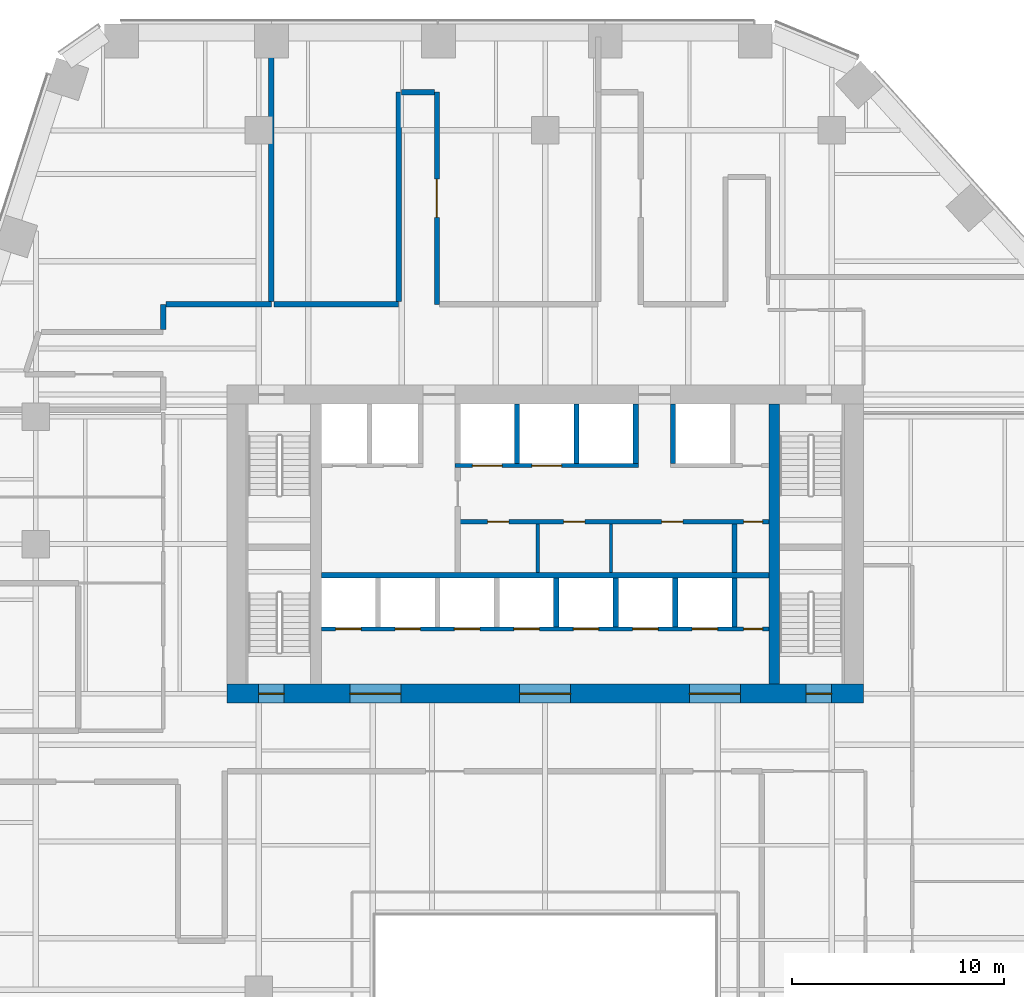
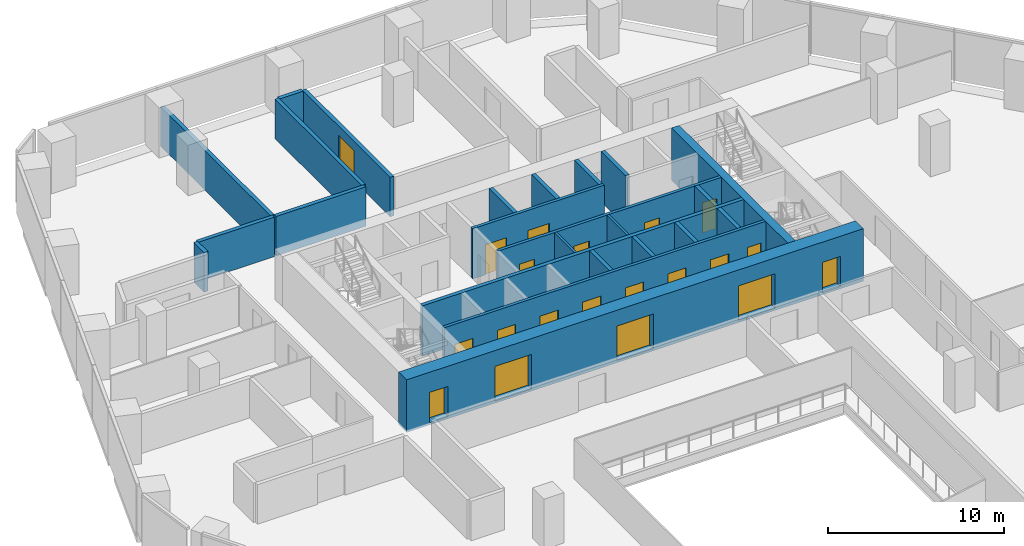
# One storey, part 15 of 21: 24 walls, 20 doors, 20 openings.
"""IFC4 building model written with IfcOpenShell, lengths in metres."""

from ifc_helpers import new_model, si_unit, direction, frame, frame_2d, origin, place, context, subcontext, project, spatial, rectangle, extrude, material, layer, layer_set, type_object, element, fill, save


model = new_model("IFC4")

# Units and contexts
model_context = context("Model", 3, precision=1e-05, world=origin(), true_north=direction((0.0, 1.0)))
body_context = subcontext(model_context, "Body", "Model", "MODEL_VIEW")
ifc_project = project(units=[si_unit("LENGTHUNIT", "METRE"), si_unit("AREAUNIT", "SQUARE_METRE"), si_unit("VOLUMEUNIT", "CUBIC_METRE"), si_unit("PLANEANGLEUNIT", "RADIAN"), si_unit("MASSUNIT", "GRAM", prefix="KILO")], contexts=[model_context])

# Site, building, storey
site_placement = place(None, origin())
site = spatial("IfcSite", under=ifc_project, at=site_placement, CompositionType="ELEMENT")
building_placement = place(site_placement, origin())
building = spatial("IfcBuilding", under=site, at=building_placement, Name="Isthmus Gate Tower", CompositionType="ELEMENT")
storey_placement = place(building_placement, frame((0.0, 0.0, 102.550048828125)))
storey = spatial("IfcBuildingStorey", under=building, at=storey_placement, Name="L24", CompositionType="ELEMENT", Elevation=102.550048828125)

# Wall, opening, door
ifc_material_1 = material(Name="Double-leaf acoustic stud wall, fire-rated", Category="gypsum")
ifc_layer_1 = layer(ifc_material_1, 0.25)
ifc_layer_set_1 = layer_set([ifc_layer_1], Name="ACOUSTIC WALL 250 60 MIN")
wall_type_1 = type_object("IfcWallType", Name="ACOUSTIC WALL 250 60 MIN", PredefinedType="PARTITIONING", material=ifc_layer_set_1)
wall_1_placement = place(storey_placement, frame((-5.10009765625, 28.800048828125, 0.0), z_axis=(0.0, 0.0, 1.0), x_axis=(0.0, -1.0, 0.0)))
wall_1 = element("IfcWall", 1, at=wall_1_placement, inside=storey, type_object=wall_type_1, Name="L24 Acoustic Wall 250 60 Min", PredefinedType="PARTITIONING", context=body_context, shape_type="SweptSolid", body=[
    extrude(rectangle(XDim=10.0, YDim=0.25, at=frame_2d((5.0, 0.0))), origin(), (0.0, 0.0, 1.0), 2.7412109375),
])
opening_1_placement = place(wall_1_placement, frame((4.10009765625, 0.0, 0.0)))
opening_1 = element("IfcOpeningElement", 2, at=opening_1_placement, cuts=wall_1, Name="Opening DT-T2C-02", PredefinedType="OPENING", context=body_context, shape_type="SweptSolid", body=[
    extrude(rectangle(XDim=1.800048828125, YDim=2.10009765625, at=frame_2d((0.89990234375, 1.050048828125))), frame((0.0, 0.135009765625, 0.0), z_axis=(0.0, -1.0, 0.0), x_axis=(1.0, 0.0, 0.0)), (0.0, 0.0, 1.0), 0.27001953125),
])
ifc_material_2 = material(Name="Solid core timber door leaf, fire-rated", Category="wood")
door_type_1 = type_object("IfcDoorType", Name="FIRE DOOR ACOUSTIC ROOM 1800 X 2100 60 MIN", OperationType="DOUBLE_DOOR_DOUBLE_SWING", PredefinedType="DOOR", material=ifc_material_2)
door_1_placement = place(opening_1_placement, origin())
door_1 = element("IfcDoor", 3, at=door_1_placement, inside=storey, type_object=door_type_1, Name="L24 room door", OperationType="DOUBLE_DOOR_DOUBLE_SWING", OverallHeight=2.10009765625, OverallWidth=1.800048828125, PredefinedType="DOOR", context=body_context, shape_type="SweptSolid", body=[
    extrude(rectangle(XDim=1.800048828125, YDim=2.10009765625, at=frame_2d((0.89990234375, 1.050048828125))), frame((0.0, 0.02490234375, 0.0), z_axis=(0.0, -1.0, 0.0), x_axis=(1.0, 0.0, 0.0)), (0.0, 0.0, 1.0), 0.050048828125),
])
fill(opening_1, door_1)

# Walls
wall_2_placement = place(storey_placement, frame((-18.0, 17.625, 0.0), z_axis=(0.0, 0.0, 1.0), x_axis=(0.0, 1.0, 0.0)))
element("IfcWall", 4, at=wall_2_placement, inside=storey, type_object=wall_type_1, Name="L24 Acoustic Wall 250 60 Min", PredefinedType="PARTITIONING", context=body_context, shape_type="SweptSolid", body=[
    extrude(rectangle(XDim=1.175048828125, YDim=0.25, at=frame_2d((0.58740234375, 0.0))), origin(), (0.0, 0.0, 1.0), 2.7412109375),
])
wall_3_placement = place(storey_placement, frame((-17.875, 18.800048828125, 0.0), z_axis=(0.0, 0.0, 1.0), x_axis=(1.0, 0.0, 0.0)))
element("IfcWall", 5, at=wall_3_placement, inside=storey, type_object=wall_type_1, Name="L24 Acoustic Wall 250 60 Min", PredefinedType="PARTITIONING", context=body_context, shape_type="SweptSolid", body=[
    extrude(rectangle(XDim=4.968017578125, YDim=0.25, at=frame_2d((2.48388671875, 0.0))), origin(), (0.0, 0.0, 1.0), 2.7412109375),
])
wall_4_placement = place(storey_placement, frame((-12.906982421875, 18.925048828125, 0.0), z_axis=(0.0, 0.0, 1.0), x_axis=(0.0, 1.0, 0.0)))
element("IfcWall", 6, at=wall_4_placement, inside=storey, type_object=wall_type_1, Name="L24 Acoustic Wall 250 60 Min", PredefinedType="PARTITIONING", context=body_context, shape_type="SweptSolid", body=[
    extrude(rectangle(XDim=12.474853515625, YDim=0.25, at=frame_2d((6.2373046875, 0.0))), origin(), (0.0, 0.0, 1.0), 2.7412109375),
])
wall_5_placement = place(storey_placement, frame((-12.781982421875, 18.800048828125, 0.0), z_axis=(0.0, 0.0, 1.0), x_axis=(1.0, 0.0, 0.0)))
element("IfcWall", 7, at=wall_5_placement, inside=storey, type_object=wall_type_1, Name="L24 Acoustic Wall 250 60 Min", PredefinedType="PARTITIONING", context=body_context, shape_type="SweptSolid", body=[
    extrude(rectangle(XDim=5.882080078125, YDim=0.25, at=frame_2d((2.94091796875, 0.0))), origin(), (0.0, 0.0, 1.0), 2.7412109375),
])
wall_6_placement = place(storey_placement, frame((-6.89990234375, 18.925048828125, 0.0), z_axis=(0.0, 0.0, 1.0), x_axis=(0.0, 1.0, 0.0)))
element("IfcWall", 8, at=wall_6_placement, inside=storey, type_object=wall_type_1, Name="L24 Acoustic Wall 250 60 Min", PredefinedType="PARTITIONING", context=body_context, shape_type="SweptSolid", body=[
    extrude(rectangle(XDim=9.875, YDim=0.25, at=frame_2d((4.9375, 0.0))), origin(), (0.0, 0.0, 1.0), 2.7412109375),
])
wall_7_placement = place(storey_placement, frame((-6.77490234375, 28.800048828125, 0.0), z_axis=(0.0, 0.0, 1.0), x_axis=(1.0, 0.0, 0.0)))
element("IfcWall", 9, at=wall_7_placement, inside=storey, type_object=wall_type_1, Name="L24 Acoustic Wall 250 60 Min", PredefinedType="PARTITIONING", context=body_context, shape_type="SweptSolid", body=[
    extrude(rectangle(XDim=1.5498046875, YDim=0.25, at=frame_2d((0.77490234375, 0.0))), origin(), (0.0, 0.0, 1.0), 2.7412109375),
])
ifc_material_3 = material(Name="Concrete f'c 70 MPa", Category="concrete")
ifc_layer_2 = layer(ifc_material_3, 0.5)
ifc_layer_set_2 = layer_set([ifc_layer_2], Name="RC CORE SPINE WALL 500 F'C 70")
wall_type_2 = type_object("IfcWallType", Name="RC CORE SPINE WALL 500 F'C 70", PredefinedType="SOLIDWALL", material=ifc_layer_set_2)
wall_8_placement = place(storey_placement, frame((10.800048828125, 0.89990234375, -0.150146484375), z_axis=(0.0, 0.0, 1.0), x_axis=(0.0, 1.0, 0.0)))
element("IfcWall", 10, at=wall_8_placement, inside=storey, type_object=wall_type_2, Name="str-corewall-L24-SPE", PredefinedType="SOLIDWALL", context=body_context, shape_type="SweptSolid", body=[
    extrude(rectangle(XDim=13.2001953125, YDim=0.5, at=frame_2d((6.60009765625, 0.0))), origin(), (0.0, 0.0, 1.0), 3.650146484375),
])

# Wall, openings, doors
ifc_material_4 = material(Name="Concrete f'c 70 MPa", Category="concrete")
ifc_layer_3 = layer(ifc_material_4, 0.89990234375)
ifc_layer_set_3 = layer_set([ifc_layer_3], Name="RC CORE WALL 900 F'C 70")
wall_type_3 = type_object("IfcWallType", Name="RC CORE WALL 900 F'C 70", PredefinedType="SOLIDWALL", material=ifc_layer_set_3)
wall_9_placement = place(storey_placement, frame((-15.0, 0.449951171875, -0.150146484375), z_axis=(0.0, 0.0, 1.0), x_axis=(1.0, 0.0, 0.0)))
wall_9 = element("IfcWall", 11, at=wall_9_placement, inside=storey, type_object=wall_type_3, Name="str-corewall-L24-S", PredefinedType="SOLIDWALL", context=body_context, shape_type="SweptSolid", body=[
    extrude(rectangle(XDim=30.0, YDim=0.89990234375, at=frame_2d((15.0, 0.0))), origin(), (0.0, 0.0, 1.0), 3.650146484375),
])
opening_2_placement = place(wall_9_placement, frame((5.800048828125, 0.0, 0.14990234375)))
opening_2 = element("IfcOpeningElement", 12, at=opening_2_placement, cuts=wall_9, Name="Opening DC-A05-08", PredefinedType="OPENING", context=body_context, shape_type="SweptSolid", body=[
    extrude(rectangle(XDim=2.39990234375, YDim=2.39990234375, at=frame_2d((1.199951171875, 1.199951171875))), frame((0.0, 0.4599609375, 0.0), z_axis=(0.0, -1.0, 0.0), x_axis=(1.0, 0.0, 0.0)), (0.0, 0.0, 1.0), 0.919921875),
])
opening_3_placement = place(wall_9_placement, frame((13.800048828125, 0.0, 0.14990234375)))
opening_3 = element("IfcOpeningElement", 13, at=opening_3_placement, cuts=wall_9, Name="Opening DC-A05-09", PredefinedType="OPENING", context=body_context, shape_type="SweptSolid", body=[
    extrude(rectangle(XDim=2.39990234375, YDim=2.39990234375, at=frame_2d((1.199951171875, 1.199951171875))), frame((0.0, 0.4599609375, 0.0), z_axis=(0.0, -1.0, 0.0), x_axis=(1.0, 0.0, 0.0)), (0.0, 0.0, 1.0), 0.919921875),
])
opening_4_placement = place(wall_9_placement, frame((21.800048828125, 0.0, 0.14990234375)))
opening_4 = element("IfcOpeningElement", 14, at=opening_4_placement, cuts=wall_9, Name="Opening DC-A05-10", PredefinedType="OPENING", context=body_context, shape_type="SweptSolid", body=[
    extrude(rectangle(XDim=2.39990234375, YDim=2.39990234375, at=frame_2d((1.199951171875, 1.199951171875))), frame((0.0, 0.4599609375, 0.0), z_axis=(0.0, -1.0, 0.0), x_axis=(1.0, 0.0, 0.0)), (0.0, 0.0, 1.0), 0.919921875),
])
opening_5_placement = place(wall_9_placement, frame((1.5, 0.0, 0.14990234375)))
opening_5 = element("IfcOpeningElement", 15, at=opening_5_placement, cuts=wall_9, Name="Opening DC-A05-15", PredefinedType="OPENING", context=body_context, shape_type="SweptSolid", body=[
    extrude(rectangle(XDim=1.199951171875, YDim=2.10009765625, at=frame_2d((0.60009765625, 1.050048828125))), frame((0.0, 0.4599609375, 0.0), z_axis=(0.0, -1.0, 0.0), x_axis=(1.0, 0.0, 0.0)), (0.0, 0.0, 1.0), 0.919921875),
])
opening_6_placement = place(wall_9_placement, frame((27.300048828125, 0.0, 0.14990234375)))
opening_6 = element("IfcOpeningElement", 16, at=opening_6_placement, cuts=wall_9, Name="Opening DC-A05-16", PredefinedType="OPENING", context=body_context, shape_type="SweptSolid", body=[
    extrude(rectangle(XDim=1.199951171875, YDim=2.10009765625, at=frame_2d((0.60009765625, 1.050048828125))), frame((0.0, 0.4599609375, 0.0), z_axis=(0.0, -1.0, 0.0), x_axis=(1.0, 0.0, 0.0)), (0.0, 0.0, 1.0), 0.919921875),
])
ifc_material_5 = material(Name="Laminated safety glass in steel frame, fire-rated", Category="steel")
door_type_2 = type_object("IfcDoorType", Name="LOBBY ENTRANCE FIRE DOOR 2400 X 2400 60 MIN", OperationType="DOUBLE_DOOR_DOUBLE_SWING", PredefinedType="DOOR", material=ifc_material_5)
door_2_placement = place(opening_2_placement, origin())
door_2 = element("IfcDoor", 17, at=door_2_placement, inside=storey, type_object=door_type_2, Name="Lobby Entrance PS-W", OperationType="DOUBLE_DOOR_DOUBLE_SWING", OverallHeight=2.39990234375, OverallWidth=2.39990234375, PredefinedType="DOOR", context=body_context, shape_type="SweptSolid", body=[
    extrude(rectangle(XDim=2.39990234375, YDim=2.39990234375, at=frame_2d((1.199951171875, 1.199951171875))), frame((0.0, 0.02490234375, 0.0), z_axis=(0.0, -1.0, 0.0), x_axis=(1.0, 0.0, 0.0)), (0.0, 0.0, 1.0), 0.050048828125),
])
fill(opening_2, door_2)
door_3_placement = place(opening_3_placement, origin())
door_3 = element("IfcDoor", 18, at=door_3_placement, inside=storey, type_object=door_type_2, Name="Lobby Entrance PS-C", OperationType="DOUBLE_DOOR_DOUBLE_SWING", OverallHeight=2.39990234375, OverallWidth=2.39990234375, PredefinedType="DOOR", context=body_context, shape_type="SweptSolid", body=[
    extrude(rectangle(XDim=2.39990234375, YDim=2.39990234375, at=frame_2d((1.199951171875, 1.199951171875))), frame((0.0, 0.02490234375, 0.0), z_axis=(0.0, -1.0, 0.0), x_axis=(1.0, 0.0, 0.0)), (0.0, 0.0, 1.0), 0.050048828125),
])
fill(opening_3, door_3)
door_4_placement = place(opening_4_placement, origin())
door_4 = element("IfcDoor", 19, at=door_4_placement, inside=storey, type_object=door_type_2, Name="Lobby Entrance PS-E", OperationType="DOUBLE_DOOR_DOUBLE_SWING", OverallHeight=2.39990234375, OverallWidth=2.39990234375, PredefinedType="DOOR", context=body_context, shape_type="SweptSolid", body=[
    extrude(rectangle(XDim=2.39990234375, YDim=2.39990234375, at=frame_2d((1.199951171875, 1.199951171875))), frame((0.0, 0.02490234375, 0.0), z_axis=(0.0, -1.0, 0.0), x_axis=(1.0, 0.0, 0.0)), (0.0, 0.0, 1.0), 0.050048828125),
])
fill(opening_4, door_4)
ifc_material_6 = material(Name="Steel door leaf, fire-rated", Category="steel")
door_type_3 = type_object("IfcDoorType", Name="STAIR FIRE DOOR 1200 X 2100 90 MIN", OperationType="SINGLE_SWING_LEFT", PredefinedType="DOOR", material=ifc_material_6)
door_5_placement = place(opening_5_placement, origin())
door_5 = element("IfcDoor", 20, at=door_5_placement, inside=storey, type_object=door_type_3, Name="Exit Stair 7 Door", OperationType="SINGLE_SWING_LEFT", OverallHeight=2.10009765625, OverallWidth=1.199951171875, PredefinedType="DOOR", context=body_context, shape_type="SweptSolid", body=[
    extrude(rectangle(XDim=1.199951171875, YDim=2.10009765625, at=frame_2d((0.60009765625, 1.050048828125))), frame((0.0, 0.02490234375, 0.0), z_axis=(0.0, -1.0, 0.0), x_axis=(1.0, 0.0, 0.0)), (0.0, 0.0, 1.0), 0.050048828125),
])
fill(opening_5, door_5)
door_6_placement = place(opening_6_placement, origin())
door_6 = element("IfcDoor", 21, at=door_6_placement, inside=storey, type_object=door_type_3, Name="Exit Stair 8 Door", OperationType="SINGLE_SWING_RIGHT", OverallHeight=2.10009765625, OverallWidth=1.199951171875, PredefinedType="DOOR", context=body_context, shape_type="SweptSolid", body=[
    extrude(rectangle(XDim=1.199951171875, YDim=2.10009765625, at=frame_2d((0.60009765625, 1.050048828125))), frame((0.0, 0.02490234375, 0.0), z_axis=(0.0, -1.0, 0.0), x_axis=(1.0, 0.0, 0.0)), (0.0, 0.0, 1.0), 0.050048828125),
])
fill(opening_6, door_6)

# Walls
ifc_material_7 = material(Name="Gypsum board on steel studs, fire-rated", Category="steel")
ifc_layer_4 = layer(ifc_material_7, 0.14990234375)
ifc_layer_set_4 = layer_set([ifc_layer_4], Name="ROOM PARTITION 150 60 MIN")
wall_type_4 = type_object("IfcWallType", Name="ROOM PARTITION 150 60 MIN", PredefinedType="PARTITIONING", material=ifc_layer_set_4)
for number, where, z_axis, x_axis, name in (
    (22, (-0.35009765625, 6.14990234375, 0.0), (0.0, 0.0, 1.0), (0.0, 1.0, 0.0), "L24 ROOM PARTITION 150 60 MIN"),
    (23, (3.10009765625, 6.14990234375, 0.0), (0.0, 0.0, 1.0), (0.0, 1.0, 0.0), "L24 ROOM PARTITION 150 60 MIN"),
):
    element("IfcWall", number, at=place(storey_placement, frame(where, z_axis=z_axis, x_axis=x_axis)), inside=storey, type_object=wall_type_4, Name=name, PredefinedType="PARTITIONING", context=body_context, shape_type="SweptSolid", body=[
        extrude(rectangle(XDim=2.300048828125, YDim=0.14990234375, at=frame_2d((1.14990234375, 0.0))), origin(), (0.0, 0.0, 1.0), 3.5),
    ])

# Wall, openings, doors
ifc_material_8 = material(Name="Fire-rated blockwork masonry, 15 MPa", Category="masonry")
ifc_layer_5 = layer(ifc_material_8, 0.199951171875)
ifc_layer_set_5 = layer_set([ifc_layer_5], Name="SHAFT FRONT WALL 200 120 MIN")
wall_type_5 = type_object("IfcWallType", Name="SHAFT FRONT WALL 200 120 MIN", PredefinedType="PARTITIONING", material=ifc_layer_set_5)
wall_10_placement = place(storey_placement, frame((-10.550048828125, 3.5, 0.0), z_axis=(0.0, 0.0, 1.0), x_axis=(1.0, 0.0, 0.0)))
wall_10 = element("IfcWall", 24, at=wall_10_placement, inside=storey, type_object=wall_type_5, Name="L24 SHAFT FRONT WALL 200 120 MIN", PredefinedType="PARTITIONING", context=body_context, shape_type="SweptSolid", body=[
    extrude(rectangle(XDim=21.10009765625, YDim=0.199951171875, at=frame_2d((10.550048828125, 0.0))), origin(), (0.0, 0.0, 1.0), 3.5),
])
opening_7_placement = place(wall_10_placement, frame((0.675048828125, 0.0, 0.0)))
opening_7 = element("IfcOpeningElement", 25, at=opening_7_placement, cuts=wall_10, Name="Opening LD-LA1", PredefinedType="OPENING", context=body_context, shape_type="SweptSolid", body=[
    extrude(rectangle(XDim=1.199951171875, YDim=2.10009765625, at=frame_2d((0.60009765625, 1.050048828125))), frame((0.0, 0.10986328125, 0.0), z_axis=(0.0, -1.0, 0.0), x_axis=(1.0, 0.0, 0.0)), (0.0, 0.0, 1.0), 0.219970703125),
])
opening_8_placement = place(wall_10_placement, frame((3.47509765625, 0.0, 0.0)))
opening_8 = element("IfcOpeningElement", 26, at=opening_8_placement, cuts=wall_10, Name="Opening LD-LA2", PredefinedType="OPENING", context=body_context, shape_type="SweptSolid", body=[
    extrude(rectangle(XDim=1.199951171875, YDim=2.10009765625, at=frame_2d((0.60009765625, 1.050048828125))), frame((0.0, 0.10986328125, 0.0), z_axis=(0.0, -1.0, 0.0), x_axis=(1.0, 0.0, 0.0)), (0.0, 0.0, 1.0), 0.219970703125),
])
opening_9_placement = place(wall_10_placement, frame((6.27490234375, 0.0, 0.0)))
opening_9 = element("IfcOpeningElement", 27, at=opening_9_placement, cuts=wall_10, Name="Opening LD-LA3", PredefinedType="OPENING", context=body_context, shape_type="SweptSolid", body=[
    extrude(rectangle(XDim=1.199951171875, YDim=2.10009765625, at=frame_2d((0.60009765625, 1.050048828125))), frame((0.0, 0.10986328125, 0.0), z_axis=(0.0, -1.0, 0.0), x_axis=(1.0, 0.0, 0.0)), (0.0, 0.0, 1.0), 0.219970703125),
])
opening_10_placement = place(wall_10_placement, frame((9.074951171875, 0.0, 0.0)))
opening_10 = element("IfcOpeningElement", 28, at=opening_10_placement, cuts=wall_10, Name="Opening LD-LA4", PredefinedType="OPENING", context=body_context, shape_type="SweptSolid", body=[
    extrude(rectangle(XDim=1.199951171875, YDim=2.10009765625, at=frame_2d((0.60009765625, 1.050048828125))), frame((0.0, 0.10986328125, 0.0), z_axis=(0.0, -1.0, 0.0), x_axis=(1.0, 0.0, 0.0)), (0.0, 0.0, 1.0), 0.219970703125),
])
opening_11_placement = place(wall_10_placement, frame((11.875, 0.0, 0.0)))
opening_11 = element("IfcOpeningElement", 29, at=opening_11_placement, cuts=wall_10, Name="Opening LD-LA5", PredefinedType="OPENING", context=body_context, shape_type="SweptSolid", body=[
    extrude(rectangle(XDim=1.199951171875, YDim=2.10009765625, at=frame_2d((0.60009765625, 1.050048828125))), frame((0.0, 0.10986328125, 0.0), z_axis=(0.0, -1.0, 0.0), x_axis=(1.0, 0.0, 0.0)), (0.0, 0.0, 1.0), 0.219970703125),
])
opening_12_placement = place(wall_10_placement, frame((14.675048828125, 0.0, 0.0)))
opening_12 = element("IfcOpeningElement", 30, at=opening_12_placement, cuts=wall_10, Name="Opening LD-LA6", PredefinedType="OPENING", context=body_context, shape_type="SweptSolid", body=[
    extrude(rectangle(XDim=1.199951171875, YDim=2.10009765625, at=frame_2d((0.60009765625, 1.050048828125))), frame((0.0, 0.10986328125, 0.0), z_axis=(0.0, -1.0, 0.0), x_axis=(1.0, 0.0, 0.0)), (0.0, 0.0, 1.0), 0.219970703125),
])
opening_13_placement = place(wall_10_placement, frame((17.47509765625, 0.0, 0.0)))
opening_13 = element("IfcOpeningElement", 31, at=opening_13_placement, cuts=wall_10, Name="Opening LD-LA7", PredefinedType="OPENING", context=body_context, shape_type="SweptSolid", body=[
    extrude(rectangle(XDim=1.199951171875, YDim=2.10009765625, at=frame_2d((0.60009765625, 1.050048828125))), frame((0.0, 0.10986328125, 0.0), z_axis=(0.0, -1.0, 0.0), x_axis=(1.0, 0.0, 0.0)), (0.0, 0.0, 1.0), 0.219970703125),
])
opening_14_placement = place(wall_10_placement, frame((19.89990234375, 0.0, 0.0)))
opening_14 = element("IfcOpeningElement", 32, at=opening_14_placement, cuts=wall_10, Name="Opening DC-A05-02", PredefinedType="OPENING", context=body_context, shape_type="SweptSolid", body=[
    extrude(rectangle(XDim=0.89990234375, YDim=2.10009765625, at=frame_2d((0.449951171875, 1.050048828125))), frame((0.0, 0.10986328125, 0.0), z_axis=(0.0, -1.0, 0.0), x_axis=(1.0, 0.0, 0.0)), (0.0, 0.0, 1.0), 0.219970703125),
])
ifc_material_9 = material(Name="Stainless steel sliding leaf", Category="steel")
door_type_4 = type_object("IfcDoorType", Name="LIFT LANDING FIRE DOOR 1200 X 2100 90 MIN", OperationType="DOUBLE_DOOR_SLIDING", PredefinedType="DOOR", material=ifc_material_9)
door_7_placement = place(opening_7_placement, origin())
door_7 = element("IfcDoor", 33, at=door_7_placement, inside=storey, type_object=door_type_4, Name="Lift Landing Door LA1", OperationType="DOUBLE_DOOR_SLIDING", OverallHeight=2.10009765625, OverallWidth=1.199951171875, PredefinedType="DOOR", context=body_context, shape_type="SweptSolid", body=[
    extrude(rectangle(XDim=1.199951171875, YDim=2.10009765625, at=frame_2d((0.60009765625, 1.050048828125))), frame((0.0, 0.02490234375, 0.0), z_axis=(0.0, -1.0, 0.0), x_axis=(1.0, 0.0, 0.0)), (0.0, 0.0, 1.0), 0.050048828125),
])
fill(opening_7, door_7)
door_8_placement = place(opening_8_placement, origin())
door_8 = element("IfcDoor", 34, at=door_8_placement, inside=storey, type_object=door_type_4, Name="Lift Landing Door LA2", OperationType="DOUBLE_DOOR_SLIDING", OverallHeight=2.10009765625, OverallWidth=1.199951171875, PredefinedType="DOOR", context=body_context, shape_type="SweptSolid", body=[
    extrude(rectangle(XDim=1.199951171875, YDim=2.10009765625, at=frame_2d((0.60009765625, 1.050048828125))), frame((0.0, 0.02490234375, 0.0), z_axis=(0.0, -1.0, 0.0), x_axis=(1.0, 0.0, 0.0)), (0.0, 0.0, 1.0), 0.050048828125),
])
fill(opening_8, door_8)
door_9_placement = place(opening_9_placement, origin())
door_9 = element("IfcDoor", 35, at=door_9_placement, inside=storey, type_object=door_type_4, Name="Lift Landing Door LA3", OperationType="DOUBLE_DOOR_SLIDING", OverallHeight=2.10009765625, OverallWidth=1.199951171875, PredefinedType="DOOR", context=body_context, shape_type="SweptSolid", body=[
    extrude(rectangle(XDim=1.199951171875, YDim=2.10009765625, at=frame_2d((0.60009765625, 1.050048828125))), frame((0.0, 0.02490234375, 0.0), z_axis=(0.0, -1.0, 0.0), x_axis=(1.0, 0.0, 0.0)), (0.0, 0.0, 1.0), 0.050048828125),
])
fill(opening_9, door_9)
door_10_placement = place(opening_10_placement, origin())
door_10 = element("IfcDoor", 36, at=door_10_placement, inside=storey, type_object=door_type_4, Name="Lift Landing Door LA4", OperationType="DOUBLE_DOOR_SLIDING", OverallHeight=2.10009765625, OverallWidth=1.199951171875, PredefinedType="DOOR", context=body_context, shape_type="SweptSolid", body=[
    extrude(rectangle(XDim=1.199951171875, YDim=2.10009765625, at=frame_2d((0.60009765625, 1.050048828125))), frame((0.0, 0.02490234375, 0.0), z_axis=(0.0, -1.0, 0.0), x_axis=(1.0, 0.0, 0.0)), (0.0, 0.0, 1.0), 0.050048828125),
])
fill(opening_10, door_10)
door_11_placement = place(opening_11_placement, origin())
door_11 = element("IfcDoor", 37, at=door_11_placement, inside=storey, type_object=door_type_4, Name="Lift Landing Door LA5", OperationType="DOUBLE_DOOR_SLIDING", OverallHeight=2.10009765625, OverallWidth=1.199951171875, PredefinedType="DOOR", context=body_context, shape_type="SweptSolid", body=[
    extrude(rectangle(XDim=1.199951171875, YDim=2.10009765625, at=frame_2d((0.60009765625, 1.050048828125))), frame((0.0, 0.02490234375, 0.0), z_axis=(0.0, -1.0, 0.0), x_axis=(1.0, 0.0, 0.0)), (0.0, 0.0, 1.0), 0.050048828125),
])
fill(opening_11, door_11)
door_12_placement = place(opening_12_placement, origin())
door_12 = element("IfcDoor", 38, at=door_12_placement, inside=storey, type_object=door_type_4, Name="Lift Landing Door LA6", OperationType="DOUBLE_DOOR_SLIDING", OverallHeight=2.10009765625, OverallWidth=1.199951171875, PredefinedType="DOOR", context=body_context, shape_type="SweptSolid", body=[
    extrude(rectangle(XDim=1.199951171875, YDim=2.10009765625, at=frame_2d((0.60009765625, 1.050048828125))), frame((0.0, 0.02490234375, 0.0), z_axis=(0.0, -1.0, 0.0), x_axis=(1.0, 0.0, 0.0)), (0.0, 0.0, 1.0), 0.050048828125),
])
fill(opening_12, door_12)
door_13_placement = place(opening_13_placement, origin())
door_13 = element("IfcDoor", 39, at=door_13_placement, inside=storey, type_object=door_type_4, Name="Lift Landing Door LA7", OperationType="DOUBLE_DOOR_SLIDING", OverallHeight=2.10009765625, OverallWidth=1.199951171875, PredefinedType="DOOR", context=body_context, shape_type="SweptSolid", body=[
    extrude(rectangle(XDim=1.199951171875, YDim=2.10009765625, at=frame_2d((0.60009765625, 1.050048828125))), frame((0.0, 0.02490234375, 0.0), z_axis=(0.0, -1.0, 0.0), x_axis=(1.0, 0.0, 0.0)), (0.0, 0.0, 1.0), 0.050048828125),
])
fill(opening_13, door_13)
ifc_material_10 = material(Name="Steel door leaf, fire-rated", Category="steel")
door_type_5 = type_object("IfcDoorType", Name="RISER FIRE DOOR 900 X 2100 90 MIN", OperationType="SINGLE_SWING_LEFT", PredefinedType="DOOR", material=ifc_material_10)
door_14_placement = place(opening_14_placement, origin())
door_14 = element("IfcDoor", 40, at=door_14_placement, inside=storey, type_object=door_type_5, Name="Riser Door", OperationType="SINGLE_SWING_RIGHT", OverallHeight=2.10009765625, OverallWidth=0.89990234375, PredefinedType="DOOR", context=body_context, shape_type="SweptSolid", body=[
    extrude(rectangle(XDim=0.89990234375, YDim=2.10009765625, at=frame_2d((0.449951171875, 1.050048828125))), frame((0.0, 0.02490234375, 0.0), z_axis=(0.0, -1.0, 0.0), x_axis=(1.0, 0.0, 0.0)), (0.0, 0.0, 1.0), 0.050048828125),
])
fill(opening_14, door_14)

wall_11_placement = place(storey_placement, frame((-4.125, 8.550048828125, 0.0), z_axis=(0.0, 0.0, 1.0), x_axis=(1.0, 0.0, 0.0)))
wall_11 = element("IfcWall", 41, at=wall_11_placement, inside=storey, type_object=wall_type_5, Name="L24 SHAFT FRONT WALL 200 120 MIN", PredefinedType="PARTITIONING", context=body_context, shape_type="SweptSolid", body=[
    extrude(rectangle(XDim=14.675048828125, YDim=0.199951171875, at=frame_2d((7.33740234375, 0.0))), origin(), (0.0, 0.0, 1.0), 3.5),
])
opening_15_placement = place(wall_11_placement, frame((1.41259765625, 0.0, 0.0)))
opening_15 = element("IfcOpeningElement", 42, at=opening_15_placement, cuts=wall_11, Name="Opening DC-A05-03", PredefinedType="OPENING", context=body_context, shape_type="SweptSolid", body=[
    extrude(rectangle(XDim=1.0, YDim=2.10009765625, at=frame_2d((0.5, 1.050048828125))), frame((0.0, 0.10986328125, 0.0), z_axis=(0.0, -1.0, 0.0), x_axis=(1.0, 0.0, 0.0)), (0.0, 0.0, 1.0), 0.219970703125),
])
opening_16_placement = place(wall_11_placement, frame((5.0, 0.0, 0.0)))
opening_16 = element("IfcOpeningElement", 43, at=opening_16_placement, cuts=wall_11, Name="Opening DC-A05-04", PredefinedType="OPENING", context=body_context, shape_type="SweptSolid", body=[
    extrude(rectangle(XDim=1.0, YDim=2.10009765625, at=frame_2d((0.5, 1.050048828125))), frame((0.0, 0.10986328125, 0.0), z_axis=(0.0, -1.0, 0.0), x_axis=(1.0, 0.0, 0.0)), (0.0, 0.0, 1.0), 0.219970703125),
])
opening_17_placement = place(wall_11_placement, frame((9.612548828125, 0.0, 0.0)))
opening_17 = element("IfcOpeningElement", 44, at=opening_17_placement, cuts=wall_11, Name="Opening DC-A05-05", PredefinedType="OPENING", context=body_context, shape_type="SweptSolid", body=[
    extrude(rectangle(XDim=1.0, YDim=2.10009765625, at=frame_2d((0.5, 1.050048828125))), frame((0.0, 0.10986328125, 0.0), z_axis=(0.0, -1.0, 0.0), x_axis=(1.0, 0.0, 0.0)), (0.0, 0.0, 1.0), 0.219970703125),
])
opening_18_placement = place(wall_11_placement, frame((13.47509765625, 0.0, 0.0)))
opening_18 = element("IfcOpeningElement", 45, at=opening_18_placement, cuts=wall_11, Name="Opening DC-A05-06", PredefinedType="OPENING", context=body_context, shape_type="SweptSolid", body=[
    extrude(rectangle(XDim=0.89990234375, YDim=2.10009765625, at=frame_2d((0.449951171875, 1.050048828125))), frame((0.0, 0.10986328125, 0.0), z_axis=(0.0, -1.0, 0.0), x_axis=(1.0, 0.0, 0.0)), (0.0, 0.0, 1.0), 0.219970703125),
])
ifc_material_11 = material(Name="Steel door leaf, fire-rated", Category="steel")
door_type_6 = type_object("IfcDoorType", Name="FIRE DOOR 1000 X 2100 60 MIN", OperationType="SINGLE_SWING_LEFT", PredefinedType="DOOR", material=ifc_material_11)
door_15_placement = place(opening_15_placement, origin())
door_15 = element("IfcDoor", 46, at=door_15_placement, inside=storey, type_object=door_type_6, Name="WC Women Door", OperationType="SINGLE_SWING_LEFT", OverallHeight=2.10009765625, OverallWidth=1.0, PredefinedType="DOOR", context=body_context, shape_type="SweptSolid", body=[
    extrude(rectangle(XDim=1.0, YDim=2.10009765625, at=frame_2d((0.5, 1.050048828125))), frame((0.0, 0.02490234375, 0.0), z_axis=(0.0, -1.0, 0.0), x_axis=(1.0, 0.0, 0.0)), (0.0, 0.0, 1.0), 0.050048828125),
])
fill(opening_15, door_15)
door_16_placement = place(opening_16_placement, origin())
door_16 = element("IfcDoor", 47, at=door_16_placement, inside=storey, type_object=door_type_6, Name="WC Men Door", OperationType="SINGLE_SWING_RIGHT", OverallHeight=2.10009765625, OverallWidth=1.0, PredefinedType="DOOR", context=body_context, shape_type="SweptSolid", body=[
    extrude(rectangle(XDim=1.0, YDim=2.10009765625, at=frame_2d((0.5, 1.050048828125))), frame((0.0, 0.02490234375, 0.0), z_axis=(0.0, -1.0, 0.0), x_axis=(1.0, 0.0, 0.0)), (0.0, 0.0, 1.0), 0.050048828125),
])
fill(opening_16, door_16)
door_17_placement = place(opening_17_placement, origin())
door_17 = element("IfcDoor", 48, at=door_17_placement, inside=storey, type_object=door_type_6, Name="Accessible WC Door", OperationType="SINGLE_SWING_LEFT", OverallHeight=2.10009765625, OverallWidth=1.0, PredefinedType="DOOR", context=body_context, shape_type="SweptSolid", body=[
    extrude(rectangle(XDim=1.0, YDim=2.10009765625, at=frame_2d((0.5, 1.050048828125))), frame((0.0, 0.02490234375, 0.0), z_axis=(0.0, -1.0, 0.0), x_axis=(1.0, 0.0, 0.0)), (0.0, 0.0, 1.0), 0.050048828125),
])
fill(opening_17, door_17)
door_18_placement = place(opening_18_placement, origin())
door_18 = element("IfcDoor", 49, at=door_18_placement, inside=storey, type_object=door_type_5, Name="Riser Door", OperationType="SINGLE_SWING_RIGHT", OverallHeight=2.10009765625, OverallWidth=0.89990234375, PredefinedType="DOOR", context=body_context, shape_type="SweptSolid", body=[
    extrude(rectangle(XDim=0.89990234375, YDim=2.10009765625, at=frame_2d((0.449951171875, 1.050048828125))), frame((0.0, 0.02490234375, 0.0), z_axis=(0.0, -1.0, 0.0), x_axis=(1.0, 0.0, 0.0)), (0.0, 0.0, 1.0), 0.050048828125),
])
fill(opening_18, door_18)

wall_12_placement = place(storey_placement, frame((-4.25, 11.199951171875, 0.0), z_axis=(0.0, 0.0, 1.0), x_axis=(1.0, 0.0, 0.0)))
wall_12 = element("IfcWall", 50, at=wall_12_placement, inside=storey, type_object=wall_type_5, Name="L24 SHAFT FRONT WALL 200 120 MIN", PredefinedType="PARTITIONING", context=body_context, shape_type="SweptSolid", body=[
    extrude(rectangle(XDim=8.64990234375, YDim=0.199951171875, at=frame_2d((4.324951171875, 0.0))), origin(), (0.0, 0.0, 1.0), 3.5),
])
opening_19_placement = place(wall_12_placement, frame((0.824951171875, 0.0, 0.0)))
opening_19 = element("IfcOpeningElement", 51, at=opening_19_placement, cuts=wall_12, Name="Opening LD-LV1", PredefinedType="OPENING", context=body_context, shape_type="SweptSolid", body=[
    extrude(rectangle(XDim=1.39990234375, YDim=2.10009765625, at=frame_2d((0.699951171875, 1.050048828125))), frame((0.0, 0.10986328125, 0.0), z_axis=(0.0, -1.0, 0.0), x_axis=(1.0, 0.0, 0.0)), (0.0, 0.0, 1.0), 0.219970703125),
])
opening_20_placement = place(wall_12_placement, frame((3.625, 0.0, 0.0)))
opening_20 = element("IfcOpeningElement", 52, at=opening_20_placement, cuts=wall_12, Name="Opening LD-LV2", PredefinedType="OPENING", context=body_context, shape_type="SweptSolid", body=[
    extrude(rectangle(XDim=1.39990234375, YDim=2.10009765625, at=frame_2d((0.699951171875, 1.050048828125))), frame((0.0, 0.10986328125, 0.0), z_axis=(0.0, -1.0, 0.0), x_axis=(1.0, 0.0, 0.0)), (0.0, 0.0, 1.0), 0.219970703125),
])
ifc_material_12 = material(Name="Stainless steel sliding leaf", Category="steel")
door_type_7 = type_object("IfcDoorType", Name="LIFT LANDING FIRE DOOR 1400 X 2100 90 MIN", OperationType="DOUBLE_DOOR_SLIDING", PredefinedType="DOOR", material=ifc_material_12)
door_19_placement = place(opening_19_placement, origin())
door_19 = element("IfcDoor", 53, at=door_19_placement, inside=storey, type_object=door_type_7, Name="Lift Landing Door LV1", OperationType="DOUBLE_DOOR_SLIDING", OverallHeight=2.10009765625, OverallWidth=1.39990234375, PredefinedType="DOOR", context=body_context, shape_type="SweptSolid", body=[
    extrude(rectangle(XDim=1.39990234375, YDim=2.10009765625, at=frame_2d((0.699951171875, 1.050048828125))), frame((0.0, 0.02490234375, 0.0), z_axis=(0.0, -1.0, 0.0), x_axis=(1.0, 0.0, 0.0)), (0.0, 0.0, 1.0), 0.050048828125),
])
fill(opening_19, door_19)
door_20_placement = place(opening_20_placement, origin())
door_20 = element("IfcDoor", 54, at=door_20_placement, inside=storey, type_object=door_type_7, Name="Lift Landing Door LV2", OperationType="DOUBLE_DOOR_SLIDING", OverallHeight=2.10009765625, OverallWidth=1.39990234375, PredefinedType="DOOR", context=body_context, shape_type="SweptSolid", body=[
    extrude(rectangle(XDim=1.39990234375, YDim=2.10009765625, at=frame_2d((0.699951171875, 1.050048828125))), frame((0.0, 0.02490234375, 0.0), z_axis=(0.0, -1.0, 0.0), x_axis=(1.0, 0.0, 0.0)), (0.0, 0.0, 1.0), 0.050048828125),
])
fill(opening_20, door_20)

# Walls
ifc_material_13 = material(Name="Fire-rated blockwork masonry, 15 MPa", Category="masonry")
ifc_layer_6 = layer(ifc_material_13, 0.25)
ifc_layer_set_6 = layer_set([ifc_layer_6], Name="SHAFT WALL 250 120 MIN")
wall_type_6 = type_object("IfcWallType", Name="SHAFT WALL 250 120 MIN", PredefinedType="PARTITIONING", material=ifc_layer_set_6)
wall_13_placement = place(storey_placement, frame((-10.550048828125, 6.02490234375, 0.0), z_axis=(0.0, 0.0, 1.0), x_axis=(1.0, 0.0, 0.0)))
element("IfcWall", 55, at=wall_13_placement, inside=storey, type_object=wall_type_6, Name="L24 SHAFT WALL 250 120 MIN", PredefinedType="PARTITIONING", context=body_context, shape_type="SweptSolid", body=[
    extrude(rectangle(XDim=21.10009765625, YDim=0.25, at=frame_2d((10.550048828125, 0.0))), origin(), (0.0, 0.0, 1.0), 3.5),
])
for number, where, z_axis, x_axis, name in (
    (56, (0.52490234375, 3.60009765625, 0.0), (0.0, 0.0, 1.0), (0.0, 1.0, 0.0), "L24 SHAFT WALL 250 120 MIN"),
    (57, (3.324951171875, 3.60009765625, 0.0), (0.0, 0.0, 1.0), (0.0, 1.0, 0.0), "L24 SHAFT WALL 250 120 MIN"),
    (58, (6.125, 3.60009765625, 0.0), (0.0, 0.0, 1.0), (0.0, 1.0, 0.0), "L24 SHAFT WALL 250 120 MIN"),
    (59, (8.925048828125, 3.60009765625, 0.0), (0.0, 0.0, 1.0), (0.0, 1.0, 0.0), "L24 SHAFT WALL 250 120 MIN"),
):
    element("IfcWall", number, at=place(storey_placement, frame(where, z_axis=z_axis, x_axis=x_axis)), inside=storey, type_object=wall_type_6, Name=name, PredefinedType="PARTITIONING", context=body_context, shape_type="SweptSolid", body=[
        extrude(rectangle(XDim=2.2998046875, YDim=0.25, at=frame_2d((1.14990234375, 0.0))), origin(), (0.0, 0.0, 1.0), 3.5),
    ])
wall_14_placement = place(storey_placement, frame((8.925048828125, 6.14990234375, 0.0), z_axis=(0.0, 0.0, 1.0), x_axis=(0.0, 1.0, 0.0)))
element("IfcWall", 60, at=wall_14_placement, inside=storey, type_object=wall_type_6, Name="L24 SHAFT WALL 250 120 MIN", PredefinedType="PARTITIONING", context=body_context, shape_type="SweptSolid", body=[
    extrude(rectangle(XDim=2.300048828125, YDim=0.25, at=frame_2d((1.14990234375, 0.0))), origin(), (0.0, 0.0, 1.0), 3.5),
])
for number, where, z_axis, x_axis, name in (
    (61, (-1.324951171875, 11.300048828125, 0.0), (0.0, 0.0, 1.0), (0.0, 1.0, 0.0), "L24 SHAFT WALL 250 120 MIN"),
    (62, (1.47509765625, 11.300048828125, 0.0), (0.0, 0.0, 1.0), (0.0, 1.0, 0.0), "L24 SHAFT WALL 250 120 MIN"),
    (63, (4.27490234375, 11.300048828125, 0.0), (0.0, 0.0, 1.0), (0.0, 1.0, 0.0), "L24 SHAFT WALL 250 120 MIN"),
    (64, (6.02490234375, 11.300048828125, 0.0), (0.0, 0.0, 1.0), (0.0, 1.0, 0.0), "L24 SHAFT WALL 250 120 MIN"),
):
    element("IfcWall", number, at=place(storey_placement, frame(where, z_axis=z_axis, x_axis=x_axis)), inside=storey, type_object=wall_type_6, Name=name, PredefinedType="PARTITIONING", context=body_context, shape_type="SweptSolid", body=[
        extrude(rectangle(XDim=2.800048828125, YDim=0.25, at=frame_2d((1.39990234375, 0.0))), origin(), (0.0, 0.0, 1.0), 3.5),
    ])

save(model, "model.ifc")
